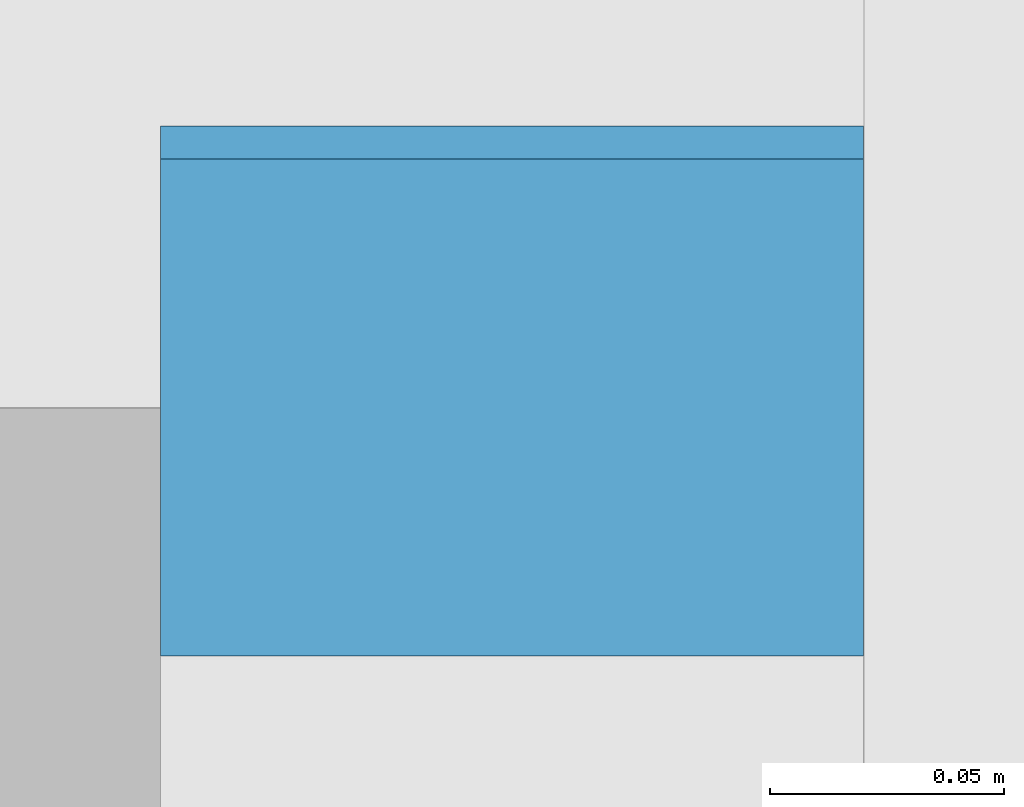
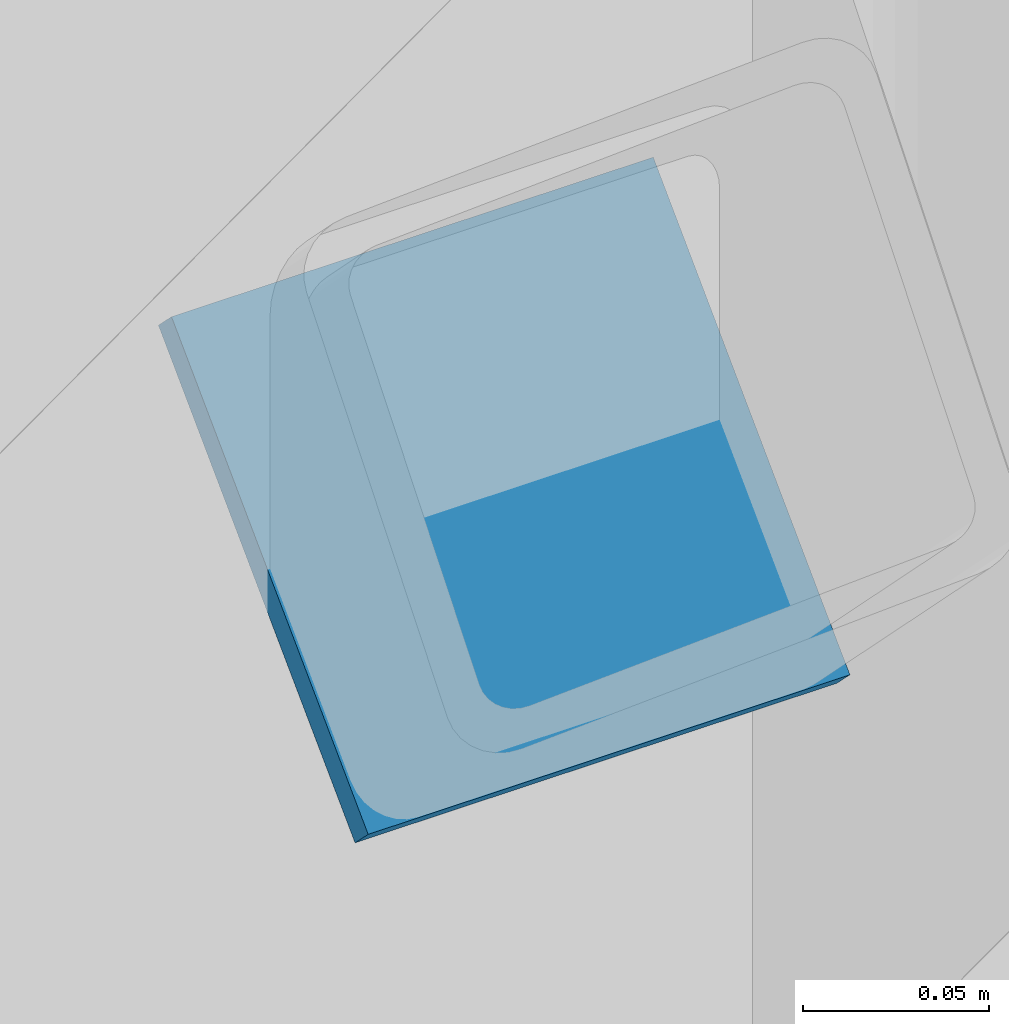
# One storey, part 90 of 126: 1 discrete accessory.
"""IFC4 building model written with IfcOpenShell, lengths in metres."""

from ifc_helpers import new_model, si_unit, direction, frame, origin, origin_2d, place, context, subcontext, project, spatial, rectangle, extrude, material, material_profile, profile_set, type_object, element, save


model = new_model("IFC4")

# Units and contexts
model_context = context("Model", 3, precision=1e-05, world=origin(), true_north=direction((0.0, 1.0)))
body_context = subcontext(model_context, "Body", "Model", "MODEL_VIEW")
ifc_project = project(units=[si_unit("LENGTHUNIT", "METRE"), si_unit("AREAUNIT", "SQUARE_METRE"), si_unit("VOLUMEUNIT", "CUBIC_METRE"), si_unit("PLANEANGLEUNIT", "RADIAN"), si_unit("MASSUNIT", "GRAM", prefix="KILO")], contexts=[model_context])

# Site, building, storey
site_placement = place(None, origin())
site = spatial("IfcSite", under=ifc_project, at=site_placement, CompositionType="ELEMENT")
building_placement = place(site_placement, origin())
building = spatial("IfcBuilding", under=site, at=building_placement, Name="Kallimachos Central Library", CompositionType="ELEMENT")
storey_placement = place(building_placement, origin())
storey = spatial("IfcBuildingStorey", under=building, at=storey_placement, Name="L00", CompositionType="ELEMENT", Elevation=0.0)

# Discrete accessory
ifc_material = material(Name="Steel S355J2", Category="steel")
ifc_material_profile = material_profile(ifc_material, rectangle(XDim=0.14990234375, YDim=0.14990234375, at=origin_2d()), Name="End cap plate 10, 150x150")
ifc_profile_set = profile_set([ifc_material_profile], Name="Steel S355J2")
discrete_accessory_type = type_object("IfcDiscreteAccessoryType", Name="End cap plate 10, 150x150", PredefinedType="BRACKET", material=ifc_profile_set)
discrete_accessory_placement = place(storey_placement, frame((13.77490234375, 36.007080078125, 0.392822265625), z_axis=(0.0, -0.707106781187, 0.707106781187), x_axis=(1.0, 0.0, 0.0)))
element("IfcDiscreteAccessory", 1, at=discrete_accessory_placement, inside=storey, type_object=discrete_accessory_type, Name="End cap plate", PredefinedType="BRACKET", context=body_context, shape_type="SweptSolid", body=[
    extrude(rectangle(XDim=0.14990234375, YDim=0.14990234375, at=origin_2d()), origin(), (0.0, 0.0, 1.0), 0.010009765625),
])

save(model, "model.ifc")
